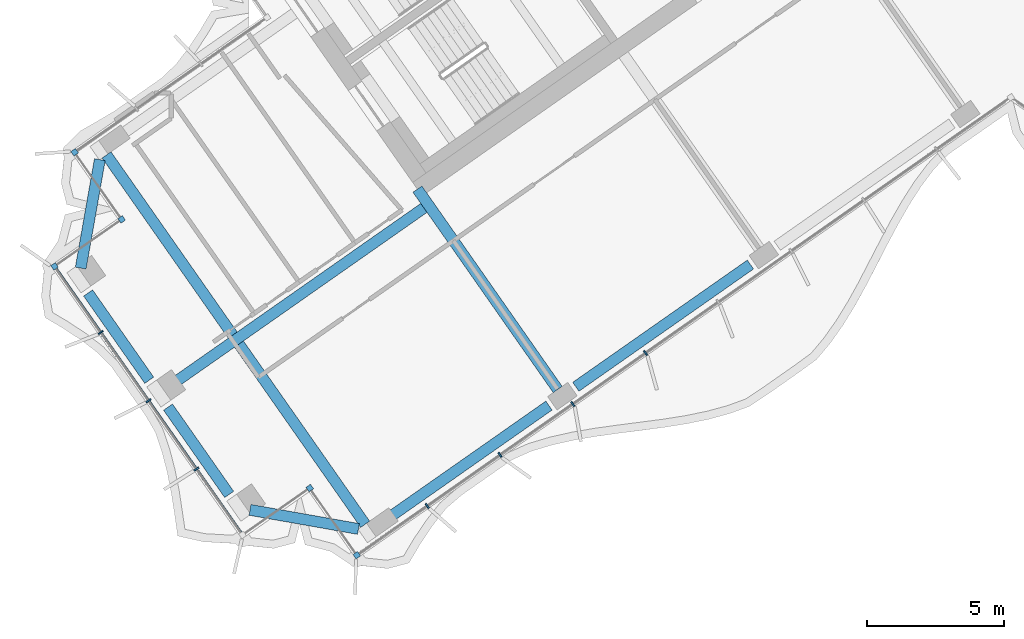
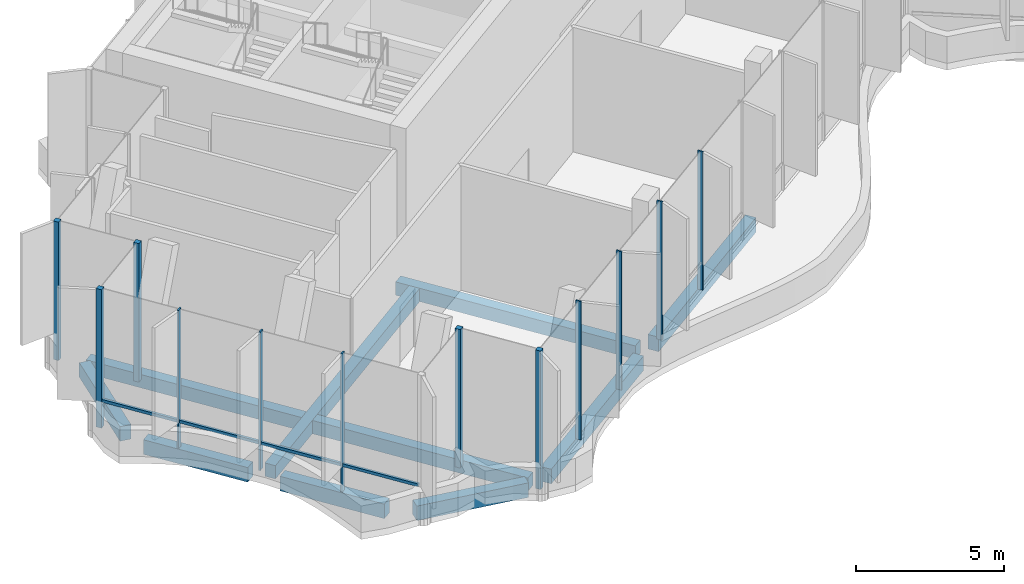
# One storey, part 2 of 22: 13 members, 9 beams, 1 element without a shape of its own.
"""IFC4 building model written with IfcOpenShell, lengths in metres."""

from ifc_helpers import new_model, si_unit, direction, frame, origin, origin_2d, place, context, subcontext, project, spatial, rectangle, extrude, material, material_profile, profile_set, type_object, element, aggregate, save


model = new_model("IFC4")

# Units and contexts
model_context = context("Model", 3, precision=1e-05, world=origin(), true_north=direction((0.0, 1.0)))
body_context = subcontext(model_context, "Body", "Model", "MODEL_VIEW")
ifc_project = project(units=[si_unit("LENGTHUNIT", "METRE"), si_unit("AREAUNIT", "SQUARE_METRE"), si_unit("VOLUMEUNIT", "CUBIC_METRE"), si_unit("PLANEANGLEUNIT", "RADIAN"), si_unit("MASSUNIT", "GRAM", prefix="KILO")], contexts=[model_context])

# Site, building, storey
site_placement = place(None, origin())
site = spatial("IfcSite", under=ifc_project, at=site_placement, CompositionType="ELEMENT")
building_placement = place(site_placement, origin())
building = spatial("IfcBuilding", under=site, at=building_placement, Name="Tel Ilan Convention Tower", CompositionType="ELEMENT")
storey_placement = place(building_placement, frame((0.0, 0.0, 219.39990234375)))
storey = spatial("IfcBuildingStorey", under=building, at=storey_placement, Name="L51", CompositionType="ELEMENT", Elevation=219.39990234375)

# Beams
ifc_material_1 = material(Name="Concrete C40/50", Category="concrete")
ifc_material_profile_1 = material_profile(ifc_material_1, rectangle(XDim=0.39990234375, YDim=0.550048828125, at=origin_2d()), Name="RC 400x550")
ifc_profile_set_1 = profile_set([ifc_material_profile_1], Name="Concrete C40/50")
beam_type_1 = type_object("IfcBeamType", Name="Beam RC 400x550 Concrete C40/50", PredefinedType="BEAM", material=ifc_profile_set_1)
beam_1_placement = place(storey_placement, frame((-16.58203125, -23.391357421875, -0.554931640625), z_axis=(-0.573584999642, 0.819146048141, 0.0), x_axis=(-0.819146048141, -0.573584999642, 0.0)))
element("IfcBeam", 1, at=beam_1_placement, inside=storey, type_object=beam_type_1, Name="L51 beam W-W-F3-core", PredefinedType="BEAM", context=body_context, shape_type="SweptSolid", body=[
    extrude(rectangle(XDim=0.39990234375, YDim=0.550048828125, at=origin_2d()), origin(), (0.0, 0.0, 1.0), 8.949951171875),
])
beam_2_placement = place(storey_placement, frame((-21.477783203125, -16.748046875, -0.554931640625), z_axis=(-0.819160415691, -0.573564480564, 0.0), x_axis=(0.573564480564, -0.819160415691, 0.0)))
element("IfcBeam", 2, at=beam_2_placement, inside=storey, type_object=beam_type_1, Name="L51 beam W-core-end", PredefinedType="BEAM", context=body_context, shape_type="SweptSolid", body=[
    extrude(rectangle(XDim=0.39990234375, YDim=0.550048828125, at=origin_2d()), origin(), (0.0, 0.0, 1.0), 11.550048828125),
])
beam_3_placement = place(storey_placement, frame((-23.626708984375, -28.32421875, -0.554931640625), z_axis=(-0.573577531157, 0.819151277697, 0.0), x_axis=(-0.819151277697, -0.573577531157, 0.0)))
element("IfcBeam", 3, at=beam_3_placement, inside=storey, type_object=beam_type_1, Name="L51 beam W-W-FC-W-BC", PredefinedType="BEAM", context=body_context, shape_type="SweptSolid", body=[
    extrude(rectangle(XDim=0.39990234375, YDim=0.550048828125, at=origin_2d()), origin(), (0.0, 0.0, 1.0), 16.500244140625),
])
ifc_material_2 = material(Name="Concrete C40/50", Category="concrete")
ifc_material_profile_2 = material_profile(ifc_material_2, rectangle(XDim=0.39990234375, YDim=0.60009765625, at=origin_2d()), Name="RC 400x600")
ifc_profile_set_2 = profile_set([ifc_material_profile_2], Name="Concrete C40/50")
beam_type_2 = type_object("IfcBeamType", Name="Beam RC 400x600 Concrete C40/50", PredefinedType="BEAM", material=ifc_profile_set_2)
beam_4_placement = place(storey_placement, frame((-9.529052734375, -18.819091796875, -0.579833984375), z_axis=(-0.819153977895, -0.573573674866, 0.0), x_axis=(0.573573674866, -0.819153977895, 0.0)))
element("IfcBeam", 4, at=beam_4_placement, inside=storey, type_object=beam_type_2, Name="L51 beam W-W-F2-W-F3", PredefinedType="BEAM", context=body_context, shape_type="SweptSolid", body=[
    extrude(rectangle(XDim=0.39990234375, YDim=0.60009765625, at=origin_2d()), origin(), (0.0, 0.0, 1.0), 7.800048828125),
])
beam_5_placement = place(storey_placement, frame((-16.901611328125, -23.981201171875, -0.579833984375), z_axis=(-0.819148211634, -0.573581909911, 0.0), x_axis=(0.573581909911, -0.819148211634, 0.0)))
element("IfcBeam", 5, at=beam_5_placement, inside=storey, type_object=beam_type_2, Name="L51 beam W-W-F3-W-FC", PredefinedType="BEAM", context=body_context, shape_type="SweptSolid", body=[
    extrude(rectangle(XDim=0.39990234375, YDim=0.60009765625, at=origin_2d()), origin(), (0.0, 0.0, 1.0), 7.39990234375),
])
beam_6_placement = place(storey_placement, frame((-23.87255859375, -28.49609375, -0.579833984375), z_axis=(-0.984815252405, 0.173605641124, 0.0), x_axis=(-0.173605641124, -0.984815252405, 0.0)))
element("IfcBeam", 6, at=beam_6_placement, inside=storey, type_object=beam_type_2, Name="L51 beam W-W-FC-W-E1", PredefinedType="BEAM", context=body_context, shape_type="SweptSolid", body=[
    extrude(rectangle(XDim=0.39990234375, YDim=0.60009765625, at=origin_2d()), origin(), (0.0, 0.0, 1.0), 4.030517578125),
])
for number, where, z_axis, x_axis, name in (
    (7, (-28.603759765625, -27.231201171875, -0.579833984375), (-0.573609383536, 0.819128973434, 0.0), (-0.819128973434, -0.573609383536, 0.0), "L51 beam W-W-E1-W-E2"),
    (8, (-31.529052734375, -23.053466796875, -0.579833984375), (-0.573609383536, 0.819128973434, 0.0), (-0.819128973434, -0.573609383536, 0.0), "L51 beam W-W-E2-W-E3"),
):
    element("IfcBeam", number, at=place(storey_placement, frame(where, z_axis=z_axis, x_axis=x_axis)), inside=storey, type_object=beam_type_2, Name=name, PredefinedType="BEAM", context=body_context, shape_type="SweptSolid", body=[
        extrude(rectangle(XDim=0.39990234375, YDim=0.60009765625, at=origin_2d()), origin(), (0.0, 0.0, 1.0), 3.89990234375),
    ])
beam_7_placement = place(storey_placement, frame((-34.036376953125, -18.949462890625, -0.579833984375), z_axis=(0.173605641124, 0.984815252405, 0.0), x_axis=(-0.984815252405, 0.173605641124, 0.0)))
element("IfcBeam", 9, at=beam_7_placement, inside=storey, type_object=beam_type_2, Name="L51 beam W-W-E3-W-BC", PredefinedType="BEAM", context=body_context, shape_type="SweptSolid", body=[
    extrude(rectangle(XDim=0.39990234375, YDim=0.60009765625, at=origin_2d()), origin(), (0.0, 0.0, 1.0), 4.030517578125),
])

# Curtain wall, members
ifc_material_3 = material(Name="Aluminium, bronze anodised", Category="aluminium")
curtain_wall_type = type_object("IfcCurtainWallType", Name="CW5 STICK CURTAIN WALL, UPPER OFFICE LOW-IRON TINTED GLASS", PredefinedType="NOTDEFINED", material=ifc_material_3)
curtain_wall_placement = place(storey_placement, origin())
curtain_wall = element("IfcCurtainWall", 10, at=curtain_wall_placement, inside=storey, type_object=curtain_wall_type, Name="Curtain wall CW5-40.02", PredefinedType="NOTDEFINED")
ifc_material_4 = material(Name="Aluminium, bronze anodised", Category="aluminium")
ifc_material_profile_3 = material_profile(ifc_material_4, rectangle(XDim=0.199951171875, YDim=0.199951171875, at=origin_2d()), Name="CW CORNER MULLION 200x200")
ifc_profile_set_3 = profile_set([ifc_material_profile_3], Name="Aluminium, bronze anodised")
member_type_1 = type_object("IfcMemberType", Name="CW CORNER MULLION 200x200", PredefinedType="MULLION", material=ifc_profile_set_3)
member_1_placement = place(storey_placement, frame((-34.25830078125, -14.7099609375, 0.0), z_axis=(0.0, 0.0, 1.0), x_axis=(-0.819152044289, -0.573576436351, 0.0)))
member_1 = element("IfcMember", 11, at=member_1_placement, type_object=member_type_1, Name="Corner mullion", PredefinedType="MULLION", context=body_context, shape_type="SweptSolid", body=[
    extrude(rectangle(XDim=0.199951171875, YDim=0.199951171875, at=origin_2d()), origin(), (0.0, 0.0, 1.0), 5.72021484375),
])
member_2_placement = place(storey_placement, frame((-32.53759765625, -17.16748046875, 0.0), z_axis=(0.0, 0.0, 1.0), x_axis=(0.573576436351, -0.819152044289, 0.0)))
member_2 = element("IfcMember", 12, at=member_2_placement, type_object=member_type_1, Name="Corner mullion", PredefinedType="MULLION", context=body_context, shape_type="SweptSolid", body=[
    extrude(rectangle(XDim=0.199951171875, YDim=0.199951171875, at=origin_2d()), origin(), (0.0, 0.0, 1.0), 5.72021484375),
])
member_3_placement = place(storey_placement, frame((-34.994873046875, -18.88818359375, 0.0), z_axis=(0.0, 0.0, 1.0), x_axis=(-0.819152044289, -0.573576436351, 0.0)))
member_3 = element("IfcMember", 13, at=member_3_placement, type_object=member_type_1, Name="Corner mullion", PredefinedType="MULLION", context=body_context, shape_type="SweptSolid", body=[
    extrude(rectangle(XDim=0.199951171875, YDim=0.199951171875, at=origin_2d()), origin(), (0.0, 0.0, 1.0), 5.72021484375),
])
member_4_placement = place(storey_placement, frame((-25.654541015625, -26.997314453125, 0.0), z_axis=(0.0, 0.0, 1.0), x_axis=(0.819152044289, 0.573576436351, 0.0)))
member_4 = element("IfcMember", 14, at=member_4_placement, type_object=member_type_1, Name="Corner mullion", PredefinedType="MULLION", context=body_context, shape_type="SweptSolid", body=[
    extrude(rectangle(XDim=0.199951171875, YDim=0.199951171875, at=origin_2d()), origin(), (0.0, 0.0, 1.0), 5.72021484375),
])
member_5_placement = place(storey_placement, frame((-23.933837890625, -29.454833984375, 0.0), z_axis=(0.0, 0.0, 1.0), x_axis=(0.573576436351, -0.819152044289, 0.0)))
member_5 = element("IfcMember", 15, at=member_5_placement, type_object=member_type_1, Name="Corner mullion", PredefinedType="MULLION", context=body_context, shape_type="SweptSolid", body=[
    extrude(rectangle(XDim=0.199951171875, YDim=0.199951171875, at=origin_2d()), origin(), (0.0, 0.0, 1.0), 5.72021484375),
])
ifc_material_5 = material(Name="Aluminium, bronze anodised", Category="aluminium")
ifc_material_profile_4 = material_profile(ifc_material_5, rectangle(XDim=0.06005859375, YDim=0.199951171875, at=origin_2d()), Name="CW MULLION 60x200")
ifc_profile_set_4 = profile_set([ifc_material_profile_4], Name="Aluminium, bronze anodised")
member_type_2 = type_object("IfcMemberType", Name="CW MULLION 60x200", PredefinedType="MULLION", material=ifc_profile_set_4)
member_6_placement = place(storey_placement, frame((-33.302978515625, -21.3046875, 0.0), z_axis=(0.0, 0.0, 1.0), x_axis=(0.573576436351, -0.819152044289, 0.0)))
member_6 = element("IfcMember", 16, at=member_6_placement, type_object=member_type_2, Name="Mullion", PredefinedType="MULLION", context=body_context, shape_type="SweptSolid", body=[
    extrude(rectangle(XDim=0.06005859375, YDim=0.199951171875, at=origin_2d()), origin(), (0.0, 0.0, 1.0), 5.72021484375),
])
member_7_placement = place(storey_placement, frame((-31.553466796875, -23.802978515625, 0.0), z_axis=(0.0, 0.0, 1.0), x_axis=(0.573576436351, -0.819152044289, 0.0)))
member_7 = element("IfcMember", 17, at=member_7_placement, type_object=member_type_2, Name="Mullion", PredefinedType="MULLION", context=body_context, shape_type="SweptSolid", body=[
    extrude(rectangle(XDim=0.06005859375, YDim=0.199951171875, at=origin_2d()), origin(), (0.0, 0.0, 1.0), 5.72021484375),
])
member_8_placement = place(storey_placement, frame((-29.80419921875, -26.301513671875, 0.0), z_axis=(0.0, 0.0, 1.0), x_axis=(0.573576436351, -0.819152044289, 0.0)))
member_8 = element("IfcMember", 18, at=member_8_placement, type_object=member_type_2, Name="Mullion", PredefinedType="MULLION", context=body_context, shape_type="SweptSolid", body=[
    extrude(rectangle(XDim=0.06005859375, YDim=0.199951171875, at=origin_2d()), origin(), (0.0, 0.0, 1.0), 5.72021484375),
])
member_9_placement = place(storey_placement, frame((-21.353759765625, -27.648193359375, 0.0), z_axis=(0.0, 0.0, 1.0), x_axis=(0.819152044289, 0.573576436351, 0.0)))
member_9 = element("IfcMember", 19, at=member_9_placement, type_object=member_type_2, Name="Mullion", PredefinedType="MULLION", context=body_context, shape_type="SweptSolid", body=[
    extrude(rectangle(XDim=0.06005859375, YDim=0.199951171875, at=origin_2d()), origin(), (0.0, 0.0, 1.0), 5.72021484375),
])
member_10_placement = place(storey_placement, frame((-18.691650390625, -25.7841796875, 0.0), z_axis=(0.0, 0.0, 1.0), x_axis=(0.819152044289, 0.573576436351, 0.0)))
member_10 = element("IfcMember", 20, at=member_10_placement, type_object=member_type_2, Name="Mullion", PredefinedType="MULLION", context=body_context, shape_type="SweptSolid", body=[
    extrude(rectangle(XDim=0.06005859375, YDim=0.199951171875, at=origin_2d()), origin(), (0.0, 0.0, 1.0), 5.72021484375),
])
member_11_placement = place(storey_placement, frame((-16.029541015625, -23.920166015625, 0.0), z_axis=(0.0, 0.0, 1.0), x_axis=(0.819152044289, 0.573576436351, 0.0)))
member_11 = element("IfcMember", 21, at=member_11_placement, type_object=member_type_2, Name="Mullion", PredefinedType="MULLION", context=body_context, shape_type="SweptSolid", body=[
    extrude(rectangle(XDim=0.06005859375, YDim=0.199951171875, at=origin_2d()), origin(), (0.0, 0.0, 1.0), 5.72021484375),
])
member_12_placement = place(storey_placement, frame((-13.36767578125, -22.05615234375, 0.0), z_axis=(0.0, 0.0, 1.0), x_axis=(0.819152044289, 0.573576436351, 0.0)))
member_12 = element("IfcMember", 22, at=member_12_placement, type_object=member_type_2, Name="Mullion", PredefinedType="MULLION", context=body_context, shape_type="SweptSolid", body=[
    extrude(rectangle(XDim=0.06005859375, YDim=0.199951171875, at=origin_2d()), origin(), (0.0, 0.0, 1.0), 5.72021484375),
])
ifc_material_6 = material(Name="Aluminium, bronze anodised", Category="aluminium")
ifc_material_profile_5 = material_profile(ifc_material_6, rectangle(XDim=0.10009765625, YDim=0.1201171875, at=origin_2d()), Name="CW TRANSOM 100x120")
ifc_profile_set_5 = profile_set([ifc_material_profile_5], Name="Aluminium, bronze anodised")
member_type_3 = type_object("IfcMemberType", Name="CW TRANSOM 100x120", PredefinedType="USERDEFINED", material=ifc_profile_set_5)
member_13_placement = place(storey_placement, frame((-34.9375, -18.969970703125, 1.10009765625), z_axis=(0.573567872435, -0.819158040741, 0.0), x_axis=(0.819158040741, 0.573567872435, 0.0)))
member_13 = element("IfcMember", 23, at=member_13_placement, type_object=member_type_3, Name="Transom", ObjectType="TRANSOM", PredefinedType="USERDEFINED", context=body_context, shape_type="SweptSolid", body=[
    extrude(rectangle(XDim=0.10009765625, YDim=0.1201171875, at=origin_2d()), origin(), (0.0, 0.0, 1.0), 11.800048828125),
])
aggregate(curtain_wall, [member_1, member_2, member_3, member_6, member_7, member_8, member_13, member_4, member_5, member_9, member_10, member_11, member_12])

save(model, "model.ifc")
